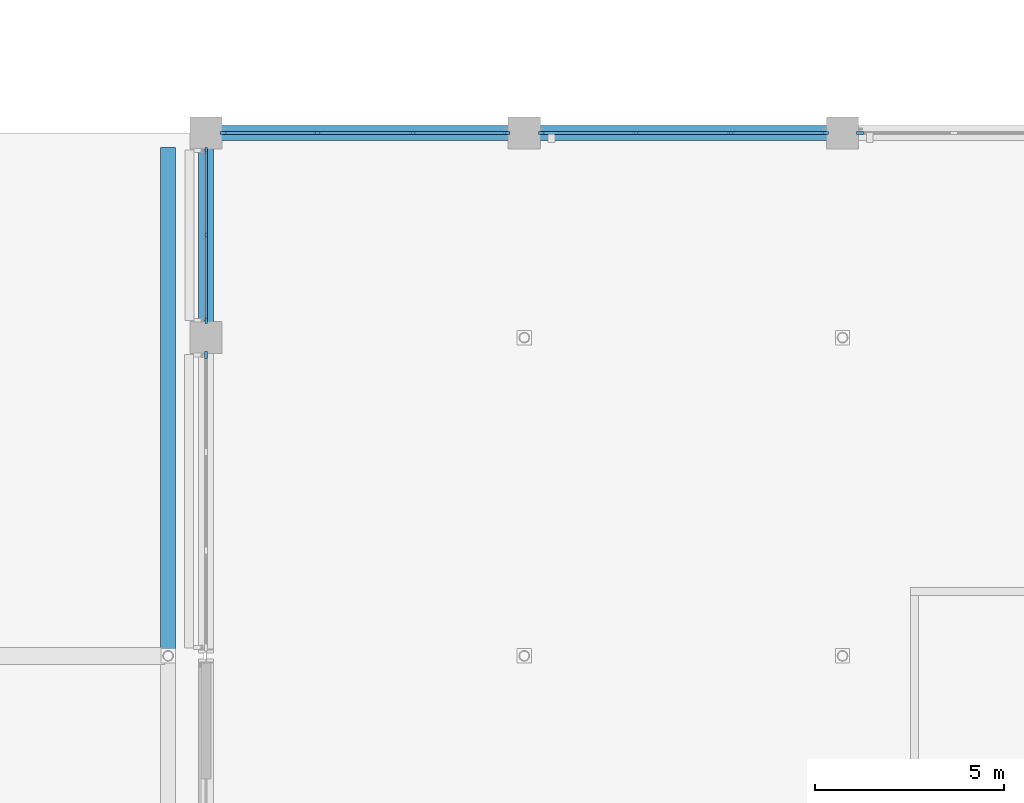
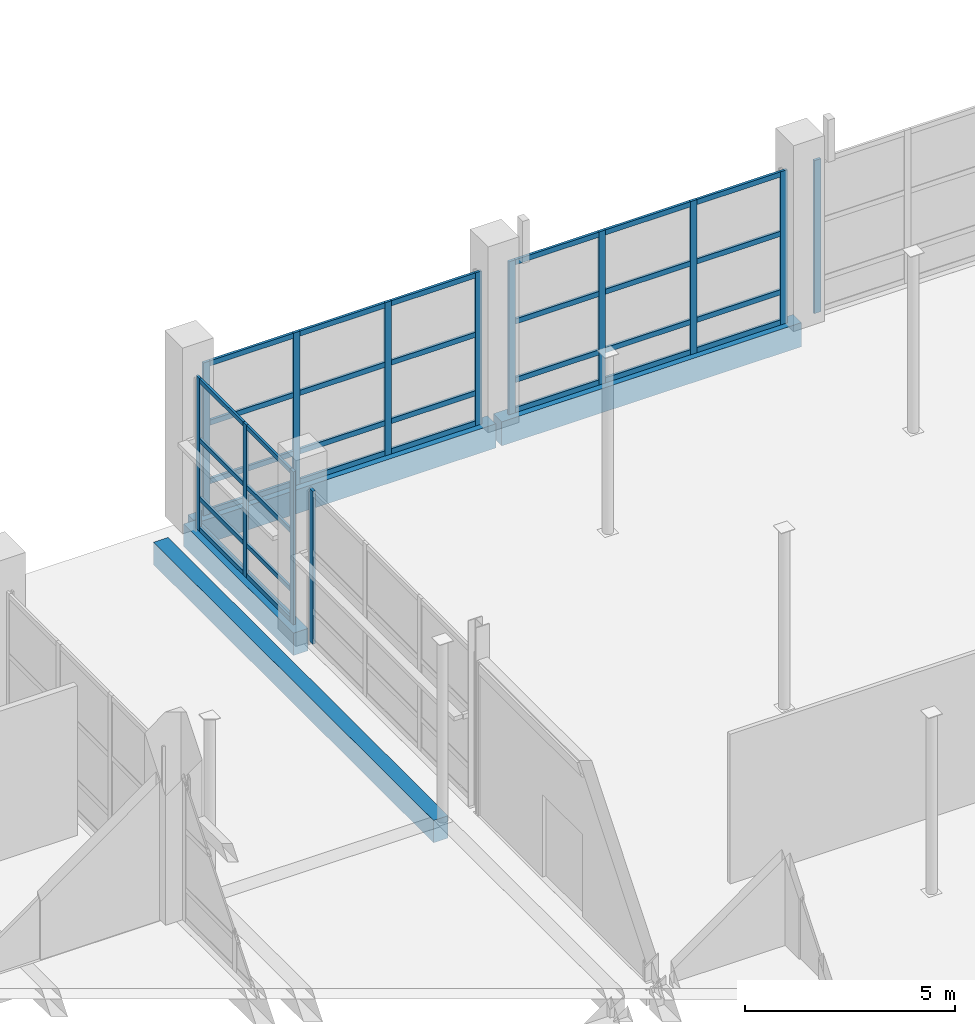
# One storey, part 34 of 140: 45 members, 4 beams, 5 elements without a shape of their own.
"""IFC4 building model written with IfcOpenShell, lengths in metres."""

from ifc_helpers import new_model, si_unit, direction, frame, origin, origin_2d, place, context, subcontext, project, spatial, rectangle, extrude, material, layer, layer_set, material_profile, profile_set, type_object, element, aggregate, save


model = new_model("IFC4")

# Units and contexts
model_context = context("Model", 3, precision=1e-05, world=origin(), true_north=direction((0.0, 1.0)))
body_context = subcontext(model_context, "Body", "Model", "MODEL_VIEW")
ifc_project = project(units=[si_unit("LENGTHUNIT", "METRE"), si_unit("AREAUNIT", "SQUARE_METRE"), si_unit("VOLUMEUNIT", "CUBIC_METRE"), si_unit("PLANEANGLEUNIT", "RADIAN"), si_unit("MASSUNIT", "GRAM", prefix="KILO")], contexts=[model_context])

# Site, building, storey
site_placement = place(None, origin())
site = spatial("IfcSite", under=ifc_project, at=site_placement, CompositionType="ELEMENT")
building_placement = place(site_placement, origin())
building = spatial("IfcBuilding", under=site, at=building_placement, Name="Telukmera Botanical Conservatory", CompositionType="ELEMENT")
storey_placement = place(building_placement, origin())
storey = spatial("IfcBuildingStorey", under=building, at=storey_placement, Name="L00", CompositionType="ELEMENT", Elevation=0.0)

# Beams
ifc_material_1 = material(Name="Concrete C40/50", Category="concrete")
ifc_material_profile_1 = material_profile(ifc_material_1, rectangle(XDim=0.39990234375, YDim=0.699951171875, at=origin_2d()), Name="RC 400x700")
ifc_profile_set_1 = profile_set([ifc_material_profile_1], Name="Concrete C40/50")
beam_type_1 = type_object("IfcBeamType", Name="Beam_B7", PredefinedType="BEAM", material=ifc_profile_set_1)
for number, where, z_axis, x_axis, name in (
    (1, (117.679931640625, 48.199951171875, -0.35009765625), (1.0, 0.0, 0.0), (0.0, 1.0, 0.0), "Conservatory Beam beam:V1:L00:gx:482:1176"),
    (2, (126.080078125, 48.199951171875, -0.35009765625), (1.0, 0.0, 0.0), (0.0, 1.0, 0.0), "Conservatory Beam beam:V1:L00:gx:482:1260"),
):
    element("IfcBeam", number, at=place(storey_placement, frame(where, z_axis=z_axis, x_axis=x_axis)), inside=storey, type_object=beam_type_1, Name=name, PredefinedType="BEAM", context=body_context, shape_type="SweptSolid", body=[
        extrude(rectangle(XDim=0.39990234375, YDim=0.699951171875, at=origin_2d()), origin(), (0.0, 0.0, 1.0), 8.239990234375),
    ])
ifc_material_profile_2 = material_profile(ifc_material_1, rectangle(XDim=0.39990234375, YDim=0.64990234375, at=origin_2d()), Name="RC 400x650")
ifc_profile_set_2 = profile_set([ifc_material_profile_2], Name="Concrete C40/50")
beam_type_2 = type_object("IfcBeamType", Name="Beam_B8", PredefinedType="BEAM", material=ifc_profile_set_2)
beam_1_placement = place(storey_placement, frame((116.60009765625, 34.47998046875, -0.324951171875), z_axis=(0.0, 1.0, 0.0), x_axis=(-1.0, 0.0, 0.0)))
element("IfcBeam", 3, at=beam_1_placement, inside=storey, type_object=beam_type_2, Name="East Link Deck North Girder L00", PredefinedType="BEAM", context=body_context, shape_type="SweptSolid", body=[
    extrude(rectangle(XDim=0.39990234375, YDim=0.64990234375, at=origin_2d()), origin(), (0.0, 0.0, 1.0), 13.340087890625),
])
beam_2_placement = place(storey_placement, frame((117.60009765625, 42.8798828125, -0.324951171875), z_axis=(0.0, 1.0, 0.0), x_axis=(-1.0, 0.0, 0.0)))
element("IfcBeam", 4, at=beam_2_placement, inside=storey, type_object=beam_type_2, Name="Conservatory Beam beam:V1:L00:gy:1176:428", PredefinedType="BEAM", context=body_context, shape_type="SweptSolid", body=[
    extrude(rectangle(XDim=0.39990234375, YDim=0.64990234375, at=origin_2d()), origin(), (0.0, 0.0, 1.0), 5.240234375),
])

# Curtain wall, members
ifc_material_2 = material(Name="Anodised aluminium 6063-T6", Category="aluminium")
ifc_layer_1 = layer(ifc_material_2, 0.179931640625)
ifc_layer_set_1 = layer_set([ifc_layer_1], Name="Anodised aluminium 6063-T6")
curtain_wall_type_1 = type_object("IfcCurtainWallType", Name="Conservatory North Gable Unitised Curtain Wall", PredefinedType="USERDEFINED", material=ifc_layer_set_1)
curtain_wall_1_placement = place(storey_placement, origin())
curtain_wall_1 = element("IfcCurtainWall", 5, at=curtain_wall_1_placement, inside=storey, type_object=curtain_wall_type_1, Name="Unitised Curtain Wall CW03 V1:L00:W4", ObjectType="UNITISED CURTAIN WALL", PredefinedType="USERDEFINED")
ifc_material_profile_3 = material_profile(ifc_material_2, rectangle(XDim=0.06494140625, YDim=0.159912109375, at=origin_2d()), Name="ALU MULL 65x160")
ifc_profile_set_3 = profile_set([ifc_material_profile_3], Name="Anodised aluminium 6063-T6")
member_type_1 = type_object("IfcMemberType", Name="Curtain Wall Extruded Mullion 65x160", PredefinedType="MULLION", material=ifc_profile_set_3)
member_1_placement = place(storey_placement, frame((117.60009765625, 43.259521484375, 0.0), z_axis=(0.0, 0.0, 1.0), x_axis=(-1.0, 0.0, 0.0)))
member_1 = element("IfcMember", 6, at=member_1_placement, type_object=member_type_1, Name="CW03 mullion 1", PredefinedType="MULLION", context=body_context, shape_type="SweptSolid", body=[
    extrude(rectangle(XDim=0.06494140625, YDim=0.159912109375, at=origin_2d()), origin(), (0.0, 0.0, 1.0), 4.449951171875),
])
member_2_placement = place(storey_placement, frame((117.60009765625, 45.5, 0.0), z_axis=(0.0, 0.0, 1.0), x_axis=(-1.0, 0.0, 0.0)))
member_2 = element("IfcMember", 7, at=member_2_placement, type_object=member_type_1, Name="CW03 mullion 2", PredefinedType="MULLION", context=body_context, shape_type="SweptSolid", body=[
    extrude(rectangle(XDim=0.06494140625, YDim=0.159912109375, at=origin_2d()), origin(), (0.0, 0.0, 1.0), 4.449951171875),
])
member_3_placement = place(storey_placement, frame((117.60009765625, 47.740478515625, 0.0), z_axis=(0.0, 0.0, 1.0), x_axis=(-1.0, 0.0, 0.0)))
member_3 = element("IfcMember", 8, at=member_3_placement, type_object=member_type_1, Name="CW03 mullion 3", PredefinedType="MULLION", context=body_context, shape_type="SweptSolid", body=[
    extrude(rectangle(XDim=0.06494140625, YDim=0.159912109375, at=origin_2d()), origin(), (0.0, 0.0, 1.0), 4.449951171875),
])

ifc_layer_2 = layer(ifc_material_2, 0.179931640625)
ifc_layer_set_2 = layer_set([ifc_layer_2], Name="Anodised aluminium 6063-T6")
curtain_wall_type_2 = type_object("IfcCurtainWallType", Name="Conservatory Garden Unitised Curtain Wall 2800 Mod", PredefinedType="USERDEFINED", material=ifc_layer_set_2)
curtain_wall_2_placement = place(storey_placement, origin())
curtain_wall_2 = element("IfcCurtainWall", 9, at=curtain_wall_2_placement, inside=storey, type_object=curtain_wall_type_2, Name="Unitised Curtain Wall CW02 V1:L00:N1", ObjectType="UNITISED CURTAIN WALL", PredefinedType="USERDEFINED")
ifc_material_profile_4 = material_profile(ifc_material_2, rectangle(XDim=0.070068359375, YDim=0.179931640625, at=origin_2d()), Name="ALU MULL 70x180")
ifc_profile_set_4 = profile_set([ifc_material_profile_4], Name="Anodised aluminium 6063-T6")
member_type_2 = type_object("IfcMemberType", Name="Curtain Wall Extruded Mullion 70x180", PredefinedType="MULLION", material=ifc_profile_set_4)
member_4_placement = place(storey_placement, frame((118.06201171875, 48.199951171875, 0.0), z_axis=(0.0, 0.0, 1.0), x_axis=(0.0, 1.0, 0.0)))
member_4 = element("IfcMember", 10, at=member_4_placement, type_object=member_type_2, Name="CW02 mullion 1", PredefinedType="MULLION", context=body_context, shape_type="SweptSolid", body=[
    extrude(rectangle(XDim=0.070068359375, YDim=0.179931640625, at=origin_2d()), origin(), (0.0, 0.0, 1.0), 4.449951171875),
])
member_5_placement = place(storey_placement, frame((120.542236328125, 48.199951171875, 0.0), z_axis=(0.0, 0.0, 1.0), x_axis=(0.0, 1.0, 0.0)))
member_5 = element("IfcMember", 11, at=member_5_placement, type_object=member_type_2, Name="CW02 mullion 2", PredefinedType="MULLION", context=body_context, shape_type="SweptSolid", body=[
    extrude(rectangle(XDim=0.070068359375, YDim=0.179931640625, at=origin_2d()), origin(), (0.0, 0.0, 1.0), 4.449951171875),
])
member_6_placement = place(storey_placement, frame((123.0576171875, 48.199951171875, 0.0), z_axis=(0.0, 0.0, 1.0), x_axis=(0.0, 1.0, 0.0)))
member_6 = element("IfcMember", 12, at=member_6_placement, type_object=member_type_2, Name="CW02 mullion 3", PredefinedType="MULLION", context=body_context, shape_type="SweptSolid", body=[
    extrude(rectangle(XDim=0.070068359375, YDim=0.179931640625, at=origin_2d()), origin(), (0.0, 0.0, 1.0), 4.449951171875),
])
member_7_placement = place(storey_placement, frame((125.5380859375, 48.199951171875, 0.0), z_axis=(0.0, 0.0, 1.0), x_axis=(0.0, 1.0, 0.0)))
member_7 = element("IfcMember", 13, at=member_7_placement, type_object=member_type_2, Name="CW02 mullion 4", PredefinedType="MULLION", context=body_context, shape_type="SweptSolid", body=[
    extrude(rectangle(XDim=0.070068359375, YDim=0.179931640625, at=origin_2d()), origin(), (0.0, 0.0, 1.0), 4.449951171875),
])

curtain_wall_3_placement = place(storey_placement, origin())
curtain_wall_3 = element("IfcCurtainWall", 14, at=curtain_wall_3_placement, inside=storey, type_object=curtain_wall_type_2, Name="Unitised Curtain Wall CW02 V1:L00:N2", ObjectType="UNITISED CURTAIN WALL", PredefinedType="USERDEFINED")
member_8_placement = place(storey_placement, frame((126.4619140625, 48.199951171875, 0.0), z_axis=(0.0, 0.0, 1.0), x_axis=(0.0, 1.0, 0.0)))
member_8 = element("IfcMember", 15, at=member_8_placement, type_object=member_type_2, Name="CW02 mullion 1", PredefinedType="MULLION", context=body_context, shape_type="SweptSolid", body=[
    extrude(rectangle(XDim=0.070068359375, YDim=0.179931640625, at=origin_2d()), origin(), (0.0, 0.0, 1.0), 4.449951171875),
])
member_9_placement = place(storey_placement, frame((128.9423828125, 48.199951171875, 0.0), z_axis=(0.0, 0.0, 1.0), x_axis=(0.0, 1.0, 0.0)))
member_9 = element("IfcMember", 16, at=member_9_placement, type_object=member_type_2, Name="CW02 mullion 2", PredefinedType="MULLION", context=body_context, shape_type="SweptSolid", body=[
    extrude(rectangle(XDim=0.070068359375, YDim=0.179931640625, at=origin_2d()), origin(), (0.0, 0.0, 1.0), 4.449951171875),
])
member_10_placement = place(storey_placement, frame((131.457763671875, 48.199951171875, 0.0), z_axis=(0.0, 0.0, 1.0), x_axis=(0.0, 1.0, 0.0)))
member_10 = element("IfcMember", 17, at=member_10_placement, type_object=member_type_2, Name="CW02 mullion 3", PredefinedType="MULLION", context=body_context, shape_type="SweptSolid", body=[
    extrude(rectangle(XDim=0.070068359375, YDim=0.179931640625, at=origin_2d()), origin(), (0.0, 0.0, 1.0), 4.449951171875),
])
member_11_placement = place(storey_placement, frame((133.93798828125, 48.199951171875, 0.0), z_axis=(0.0, 0.0, 1.0), x_axis=(0.0, 1.0, 0.0)))
member_11 = element("IfcMember", 18, at=member_11_placement, type_object=member_type_2, Name="CW02 mullion 4", PredefinedType="MULLION", context=body_context, shape_type="SweptSolid", body=[
    extrude(rectangle(XDim=0.070068359375, YDim=0.179931640625, at=origin_2d()), origin(), (0.0, 0.0, 1.0), 4.449951171875),
])

# Curtain wall, member
curtain_wall_4_placement = place(storey_placement, origin())
curtain_wall_4 = element("IfcCurtainWall", 19, at=curtain_wall_4_placement, inside=storey, type_object=curtain_wall_type_2, Name="Unitised Curtain Wall CW02 V1:L00:N3", ObjectType="UNITISED CURTAIN WALL", PredefinedType="USERDEFINED")
member_12_placement = place(storey_placement, frame((134.862060546875, 48.199951171875, 0.0), z_axis=(0.0, 0.0, 1.0), x_axis=(0.0, 1.0, 0.0)))
member_12 = element("IfcMember", 20, at=member_12_placement, type_object=member_type_2, Name="CW02 mullion 1", PredefinedType="MULLION", context=body_context, shape_type="SweptSolid", body=[
    extrude(rectangle(XDim=0.070068359375, YDim=0.179931640625, at=origin_2d()), origin(), (0.0, 0.0, 1.0), 4.449951171875),
])
aggregate(curtain_wall_4, [member_12])

curtain_wall_5_placement = place(storey_placement, origin())
curtain_wall_5 = element("IfcCurtainWall", 21, at=curtain_wall_5_placement, inside=storey, type_object=curtain_wall_type_2, Name="Unitised Curtain Wall CW02 V1:L00:W3", ObjectType="UNITISED CURTAIN WALL", PredefinedType="USERDEFINED")
member_13_placement = place(storey_placement, frame((117.60009765625, 42.337890625, 0.0), z_axis=(0.0, 0.0, 1.0), x_axis=(-1.0, 0.0, 0.0)))
member_13 = element("IfcMember", 22, at=member_13_placement, type_object=member_type_2, Name="CW02 mullion 4", PredefinedType="MULLION", context=body_context, shape_type="SweptSolid", body=[
    extrude(rectangle(XDim=0.070068359375, YDim=0.179931640625, at=origin_2d()), origin(), (0.0, 0.0, 1.0), 4.449951171875),
])
aggregate(curtain_wall_5, [member_13])

# Member
ifc_material_profile_5 = material_profile(ifc_material_2, rectangle(XDim=0.06494140625, YDim=0.1298828125, at=origin_2d()), Name="ALU TRAN 65x130")
ifc_profile_set_5 = profile_set([ifc_material_profile_5], Name="Anodised aluminium 6063-T6")
member_type_3 = type_object("IfcMemberType", Name="Curtain Wall Extruded Transom 65x130", PredefinedType="USERDEFINED", material=ifc_profile_set_5)
member_14_placement = place(storey_placement, frame((117.60009765625, 43.2919921875, 0.06494140625), z_axis=(0.0, 1.0, 0.0), x_axis=(-1.0, 0.0, 0.0)))
member_14 = element("IfcMember", 23, at=member_14_placement, type_object=member_type_3, Name="CW03 transom 1.1", ObjectType="TRANSOM", PredefinedType="USERDEFINED", context=body_context, shape_type="SweptSolid", body=[
    extrude(rectangle(XDim=0.06494140625, YDim=0.1298828125, at=origin_2d()), origin(), (0.0, 0.0, 1.0), 2.175537109375),
])

member_15_placement = place(storey_placement, frame((117.60009765625, 43.2919921875, 0.949951171875), z_axis=(0.0, 1.0, 0.0), x_axis=(-1.0, 0.0, 0.0)))
member_15 = element("IfcMember", 24, at=member_15_placement, type_object=member_type_3, Name="CW03 transom 1.2", ObjectType="TRANSOM", PredefinedType="USERDEFINED", context=body_context, shape_type="SweptSolid", body=[
    extrude(rectangle(XDim=0.06494140625, YDim=0.1298828125, at=origin_2d()), origin(), (0.0, 0.0, 1.0), 2.175537109375),
])

member_16_placement = place(storey_placement, frame((117.60009765625, 43.2919921875, 2.64990234375), z_axis=(0.0, 1.0, 0.0), x_axis=(-1.0, 0.0, 0.0)))
member_16 = element("IfcMember", 25, at=member_16_placement, type_object=member_type_3, Name="CW03 transom 1.3", ObjectType="TRANSOM", PredefinedType="USERDEFINED", context=body_context, shape_type="SweptSolid", body=[
    extrude(rectangle(XDim=0.06494140625, YDim=0.1298828125, at=origin_2d()), origin(), (0.0, 0.0, 1.0), 2.175537109375),
])

member_17_placement = place(storey_placement, frame((117.60009765625, 43.2919921875, 4.385009765625), z_axis=(0.0, 1.0, 0.0), x_axis=(-1.0, 0.0, 0.0)))
member_17 = element("IfcMember", 26, at=member_17_placement, type_object=member_type_3, Name="CW03 transom 1.4", ObjectType="TRANSOM", PredefinedType="USERDEFINED", context=body_context, shape_type="SweptSolid", body=[
    extrude(rectangle(XDim=0.06494140625, YDim=0.1298828125, at=origin_2d()), origin(), (0.0, 0.0, 1.0), 2.175537109375),
])

member_18_placement = place(storey_placement, frame((117.60009765625, 45.532470703125, 0.06494140625), z_axis=(0.0, 1.0, 0.0), x_axis=(-1.0, 0.0, 0.0)))
member_18 = element("IfcMember", 27, at=member_18_placement, type_object=member_type_3, Name="CW03 transom 2.1", ObjectType="TRANSOM", PredefinedType="USERDEFINED", context=body_context, shape_type="SweptSolid", body=[
    extrude(rectangle(XDim=0.06494140625, YDim=0.1298828125, at=origin_2d()), origin(), (0.0, 0.0, 1.0), 2.175537109375),
])

member_19_placement = place(storey_placement, frame((117.60009765625, 45.532470703125, 0.949951171875), z_axis=(0.0, 1.0, 0.0), x_axis=(-1.0, 0.0, 0.0)))
member_19 = element("IfcMember", 28, at=member_19_placement, type_object=member_type_3, Name="CW03 transom 2.2", ObjectType="TRANSOM", PredefinedType="USERDEFINED", context=body_context, shape_type="SweptSolid", body=[
    extrude(rectangle(XDim=0.06494140625, YDim=0.1298828125, at=origin_2d()), origin(), (0.0, 0.0, 1.0), 2.175537109375),
])

member_20_placement = place(storey_placement, frame((117.60009765625, 45.532470703125, 2.64990234375), z_axis=(0.0, 1.0, 0.0), x_axis=(-1.0, 0.0, 0.0)))
member_20 = element("IfcMember", 29, at=member_20_placement, type_object=member_type_3, Name="CW03 transom 2.3", ObjectType="TRANSOM", PredefinedType="USERDEFINED", context=body_context, shape_type="SweptSolid", body=[
    extrude(rectangle(XDim=0.06494140625, YDim=0.1298828125, at=origin_2d()), origin(), (0.0, 0.0, 1.0), 2.175537109375),
])

member_21_placement = place(storey_placement, frame((117.60009765625, 45.532470703125, 4.385009765625), z_axis=(0.0, 1.0, 0.0), x_axis=(-1.0, 0.0, 0.0)))
member_21 = element("IfcMember", 30, at=member_21_placement, type_object=member_type_3, Name="CW03 transom 2.4", ObjectType="TRANSOM", PredefinedType="USERDEFINED", context=body_context, shape_type="SweptSolid", body=[
    extrude(rectangle(XDim=0.06494140625, YDim=0.1298828125, at=origin_2d()), origin(), (0.0, 0.0, 1.0), 2.175537109375),
])

aggregate(curtain_wall_1, [member_1, member_2, member_3, member_14, member_15, member_16, member_17, member_18, member_19, member_20, member_21])

ifc_material_profile_6 = material_profile(ifc_material_2, rectangle(XDim=0.070068359375, YDim=0.14990234375, at=origin_2d()), Name="ALU TRAN 70x150")
ifc_profile_set_6 = profile_set([ifc_material_profile_6], Name="Anodised aluminium 6063-T6")
member_type_4 = type_object("IfcMemberType", Name="Curtain Wall Extruded Transom 70x150", PredefinedType="USERDEFINED", material=ifc_profile_set_6)
member_22_placement = place(storey_placement, frame((118.096923828125, 48.199951171875, 0.074951171875), z_axis=(1.0, 0.0, 0.0), x_axis=(0.0, 1.0, 0.0)))
member_22 = element("IfcMember", 31, at=member_22_placement, type_object=member_type_4, Name="CW02 transom 1.1", ObjectType="TRANSOM", PredefinedType="USERDEFINED", context=body_context, shape_type="SweptSolid", body=[
    extrude(rectangle(XDim=0.070068359375, YDim=0.14990234375, at=origin_2d()), origin(), (0.0, 0.0, 1.0), 2.410400390625),
])

member_23_placement = place(storey_placement, frame((118.096923828125, 48.199951171875, 0.949951171875), z_axis=(1.0, 0.0, 0.0), x_axis=(0.0, 1.0, 0.0)))
member_23 = element("IfcMember", 32, at=member_23_placement, type_object=member_type_4, Name="CW02 transom 1.2", ObjectType="TRANSOM", PredefinedType="USERDEFINED", context=body_context, shape_type="SweptSolid", body=[
    extrude(rectangle(XDim=0.070068359375, YDim=0.14990234375, at=origin_2d()), origin(), (0.0, 0.0, 1.0), 2.410400390625),
])

member_24_placement = place(storey_placement, frame((118.096923828125, 48.199951171875, 2.64990234375), z_axis=(1.0, 0.0, 0.0), x_axis=(0.0, 1.0, 0.0)))
member_24 = element("IfcMember", 33, at=member_24_placement, type_object=member_type_4, Name="CW02 transom 1.3", ObjectType="TRANSOM", PredefinedType="USERDEFINED", context=body_context, shape_type="SweptSolid", body=[
    extrude(rectangle(XDim=0.070068359375, YDim=0.14990234375, at=origin_2d()), origin(), (0.0, 0.0, 1.0), 2.410400390625),
])

member_25_placement = place(storey_placement, frame((118.096923828125, 48.199951171875, 4.375), z_axis=(1.0, 0.0, 0.0), x_axis=(0.0, 1.0, 0.0)))
member_25 = element("IfcMember", 34, at=member_25_placement, type_object=member_type_4, Name="CW02 transom 1.4", ObjectType="TRANSOM", PredefinedType="USERDEFINED", context=body_context, shape_type="SweptSolid", body=[
    extrude(rectangle(XDim=0.070068359375, YDim=0.14990234375, at=origin_2d()), origin(), (0.0, 0.0, 1.0), 2.410400390625),
])

member_26_placement = place(storey_placement, frame((120.577392578125, 48.199951171875, 0.074951171875), z_axis=(1.0, 0.0, 0.0), x_axis=(0.0, 1.0, 0.0)))
member_26 = element("IfcMember", 35, at=member_26_placement, type_object=member_type_4, Name="CW02 transom 2.1", ObjectType="TRANSOM", PredefinedType="USERDEFINED", context=body_context, shape_type="SweptSolid", body=[
    extrude(rectangle(XDim=0.070068359375, YDim=0.14990234375, at=origin_2d()), origin(), (0.0, 0.0, 1.0), 2.4453125),
])

member_27_placement = place(storey_placement, frame((120.577392578125, 48.199951171875, 0.949951171875), z_axis=(1.0, 0.0, 0.0), x_axis=(0.0, 1.0, 0.0)))
member_27 = element("IfcMember", 36, at=member_27_placement, type_object=member_type_4, Name="CW02 transom 2.2", ObjectType="TRANSOM", PredefinedType="USERDEFINED", context=body_context, shape_type="SweptSolid", body=[
    extrude(rectangle(XDim=0.070068359375, YDim=0.14990234375, at=origin_2d()), origin(), (0.0, 0.0, 1.0), 2.4453125),
])

member_28_placement = place(storey_placement, frame((120.577392578125, 48.199951171875, 2.64990234375), z_axis=(1.0, 0.0, 0.0), x_axis=(0.0, 1.0, 0.0)))
member_28 = element("IfcMember", 37, at=member_28_placement, type_object=member_type_4, Name="CW02 transom 2.3", ObjectType="TRANSOM", PredefinedType="USERDEFINED", context=body_context, shape_type="SweptSolid", body=[
    extrude(rectangle(XDim=0.070068359375, YDim=0.14990234375, at=origin_2d()), origin(), (0.0, 0.0, 1.0), 2.4453125),
])

member_29_placement = place(storey_placement, frame((120.577392578125, 48.199951171875, 4.375), z_axis=(1.0, 0.0, 0.0), x_axis=(0.0, 1.0, 0.0)))
member_29 = element("IfcMember", 38, at=member_29_placement, type_object=member_type_4, Name="CW02 transom 2.4", ObjectType="TRANSOM", PredefinedType="USERDEFINED", context=body_context, shape_type="SweptSolid", body=[
    extrude(rectangle(XDim=0.070068359375, YDim=0.14990234375, at=origin_2d()), origin(), (0.0, 0.0, 1.0), 2.4453125),
])

member_30_placement = place(storey_placement, frame((123.0927734375, 48.199951171875, 0.074951171875), z_axis=(1.0, 0.0, 0.0), x_axis=(0.0, 1.0, 0.0)))
member_30 = element("IfcMember", 39, at=member_30_placement, type_object=member_type_4, Name="CW02 transom 3.1", ObjectType="TRANSOM", PredefinedType="USERDEFINED", context=body_context, shape_type="SweptSolid", body=[
    extrude(rectangle(XDim=0.070068359375, YDim=0.14990234375, at=origin_2d()), origin(), (0.0, 0.0, 1.0), 2.41015625),
])

member_31_placement = place(storey_placement, frame((123.0927734375, 48.199951171875, 0.949951171875), z_axis=(1.0, 0.0, 0.0), x_axis=(0.0, 1.0, 0.0)))
member_31 = element("IfcMember", 40, at=member_31_placement, type_object=member_type_4, Name="CW02 transom 3.2", ObjectType="TRANSOM", PredefinedType="USERDEFINED", context=body_context, shape_type="SweptSolid", body=[
    extrude(rectangle(XDim=0.070068359375, YDim=0.14990234375, at=origin_2d()), origin(), (0.0, 0.0, 1.0), 2.41015625),
])

member_32_placement = place(storey_placement, frame((123.0927734375, 48.199951171875, 2.64990234375), z_axis=(1.0, 0.0, 0.0), x_axis=(0.0, 1.0, 0.0)))
member_32 = element("IfcMember", 41, at=member_32_placement, type_object=member_type_4, Name="CW02 transom 3.3", ObjectType="TRANSOM", PredefinedType="USERDEFINED", context=body_context, shape_type="SweptSolid", body=[
    extrude(rectangle(XDim=0.070068359375, YDim=0.14990234375, at=origin_2d()), origin(), (0.0, 0.0, 1.0), 2.41015625),
])

member_33_placement = place(storey_placement, frame((123.0927734375, 48.199951171875, 4.375), z_axis=(1.0, 0.0, 0.0), x_axis=(0.0, 1.0, 0.0)))
member_33 = element("IfcMember", 42, at=member_33_placement, type_object=member_type_4, Name="CW02 transom 3.4", ObjectType="TRANSOM", PredefinedType="USERDEFINED", context=body_context, shape_type="SweptSolid", body=[
    extrude(rectangle(XDim=0.070068359375, YDim=0.14990234375, at=origin_2d()), origin(), (0.0, 0.0, 1.0), 2.41015625),
])

aggregate(curtain_wall_2, [member_4, member_5, member_6, member_7, member_22, member_23, member_24, member_25, member_26, member_27, member_28, member_29, member_30, member_31, member_32, member_33])

member_34_placement = place(storey_placement, frame((126.4970703125, 48.199951171875, 0.074951171875), z_axis=(1.0, 0.0, 0.0), x_axis=(0.0, 1.0, 0.0)))
member_34 = element("IfcMember", 43, at=member_34_placement, type_object=member_type_4, Name="CW02 transom 1.1", ObjectType="TRANSOM", PredefinedType="USERDEFINED", context=body_context, shape_type="SweptSolid", body=[
    extrude(rectangle(XDim=0.070068359375, YDim=0.14990234375, at=origin_2d()), origin(), (0.0, 0.0, 1.0), 2.41015625),
])

member_35_placement = place(storey_placement, frame((126.4970703125, 48.199951171875, 0.949951171875), z_axis=(1.0, 0.0, 0.0), x_axis=(0.0, 1.0, 0.0)))
member_35 = element("IfcMember", 44, at=member_35_placement, type_object=member_type_4, Name="CW02 transom 1.2", ObjectType="TRANSOM", PredefinedType="USERDEFINED", context=body_context, shape_type="SweptSolid", body=[
    extrude(rectangle(XDim=0.070068359375, YDim=0.14990234375, at=origin_2d()), origin(), (0.0, 0.0, 1.0), 2.41015625),
])

member_36_placement = place(storey_placement, frame((126.4970703125, 48.199951171875, 2.64990234375), z_axis=(1.0, 0.0, 0.0), x_axis=(0.0, 1.0, 0.0)))
member_36 = element("IfcMember", 45, at=member_36_placement, type_object=member_type_4, Name="CW02 transom 1.3", ObjectType="TRANSOM", PredefinedType="USERDEFINED", context=body_context, shape_type="SweptSolid", body=[
    extrude(rectangle(XDim=0.070068359375, YDim=0.14990234375, at=origin_2d()), origin(), (0.0, 0.0, 1.0), 2.41015625),
])

member_37_placement = place(storey_placement, frame((126.4970703125, 48.199951171875, 4.375), z_axis=(1.0, 0.0, 0.0), x_axis=(0.0, 1.0, 0.0)))
member_37 = element("IfcMember", 46, at=member_37_placement, type_object=member_type_4, Name="CW02 transom 1.4", ObjectType="TRANSOM", PredefinedType="USERDEFINED", context=body_context, shape_type="SweptSolid", body=[
    extrude(rectangle(XDim=0.070068359375, YDim=0.14990234375, at=origin_2d()), origin(), (0.0, 0.0, 1.0), 2.41015625),
])

member_38_placement = place(storey_placement, frame((128.977294921875, 48.199951171875, 0.074951171875), z_axis=(1.0, 0.0, 0.0), x_axis=(0.0, 1.0, 0.0)))
member_38 = element("IfcMember", 47, at=member_38_placement, type_object=member_type_4, Name="CW02 transom 2.1", ObjectType="TRANSOM", PredefinedType="USERDEFINED", context=body_context, shape_type="SweptSolid", body=[
    extrude(rectangle(XDim=0.070068359375, YDim=0.14990234375, at=origin_2d()), origin(), (0.0, 0.0, 1.0), 2.4453125),
])

member_39_placement = place(storey_placement, frame((128.977294921875, 48.199951171875, 0.949951171875), z_axis=(1.0, 0.0, 0.0), x_axis=(0.0, 1.0, 0.0)))
member_39 = element("IfcMember", 48, at=member_39_placement, type_object=member_type_4, Name="CW02 transom 2.2", ObjectType="TRANSOM", PredefinedType="USERDEFINED", context=body_context, shape_type="SweptSolid", body=[
    extrude(rectangle(XDim=0.070068359375, YDim=0.14990234375, at=origin_2d()), origin(), (0.0, 0.0, 1.0), 2.4453125),
])

member_40_placement = place(storey_placement, frame((128.977294921875, 48.199951171875, 2.64990234375), z_axis=(1.0, 0.0, 0.0), x_axis=(0.0, 1.0, 0.0)))
member_40 = element("IfcMember", 49, at=member_40_placement, type_object=member_type_4, Name="CW02 transom 2.3", ObjectType="TRANSOM", PredefinedType="USERDEFINED", context=body_context, shape_type="SweptSolid", body=[
    extrude(rectangle(XDim=0.070068359375, YDim=0.14990234375, at=origin_2d()), origin(), (0.0, 0.0, 1.0), 2.4453125),
])

member_41_placement = place(storey_placement, frame((128.977294921875, 48.199951171875, 4.375), z_axis=(1.0, 0.0, 0.0), x_axis=(0.0, 1.0, 0.0)))
member_41 = element("IfcMember", 50, at=member_41_placement, type_object=member_type_4, Name="CW02 transom 2.4", ObjectType="TRANSOM", PredefinedType="USERDEFINED", context=body_context, shape_type="SweptSolid", body=[
    extrude(rectangle(XDim=0.070068359375, YDim=0.14990234375, at=origin_2d()), origin(), (0.0, 0.0, 1.0), 2.4453125),
])

member_42_placement = place(storey_placement, frame((131.49267578125, 48.199951171875, 0.074951171875), z_axis=(1.0, 0.0, 0.0), x_axis=(0.0, 1.0, 0.0)))
member_42 = element("IfcMember", 51, at=member_42_placement, type_object=member_type_4, Name="CW02 transom 3.1", ObjectType="TRANSOM", PredefinedType="USERDEFINED", context=body_context, shape_type="SweptSolid", body=[
    extrude(rectangle(XDim=0.070068359375, YDim=0.14990234375, at=origin_2d()), origin(), (0.0, 0.0, 1.0), 2.410400390625),
])

member_43_placement = place(storey_placement, frame((131.49267578125, 48.199951171875, 0.949951171875), z_axis=(1.0, 0.0, 0.0), x_axis=(0.0, 1.0, 0.0)))
member_43 = element("IfcMember", 52, at=member_43_placement, type_object=member_type_4, Name="CW02 transom 3.2", ObjectType="TRANSOM", PredefinedType="USERDEFINED", context=body_context, shape_type="SweptSolid", body=[
    extrude(rectangle(XDim=0.070068359375, YDim=0.14990234375, at=origin_2d()), origin(), (0.0, 0.0, 1.0), 2.410400390625),
])

member_44_placement = place(storey_placement, frame((131.49267578125, 48.199951171875, 2.64990234375), z_axis=(1.0, 0.0, 0.0), x_axis=(0.0, 1.0, 0.0)))
member_44 = element("IfcMember", 53, at=member_44_placement, type_object=member_type_4, Name="CW02 transom 3.3", ObjectType="TRANSOM", PredefinedType="USERDEFINED", context=body_context, shape_type="SweptSolid", body=[
    extrude(rectangle(XDim=0.070068359375, YDim=0.14990234375, at=origin_2d()), origin(), (0.0, 0.0, 1.0), 2.410400390625),
])

member_45_placement = place(storey_placement, frame((131.49267578125, 48.199951171875, 4.375), z_axis=(1.0, 0.0, 0.0), x_axis=(0.0, 1.0, 0.0)))
member_45 = element("IfcMember", 54, at=member_45_placement, type_object=member_type_4, Name="CW02 transom 3.4", ObjectType="TRANSOM", PredefinedType="USERDEFINED", context=body_context, shape_type="SweptSolid", body=[
    extrude(rectangle(XDim=0.070068359375, YDim=0.14990234375, at=origin_2d()), origin(), (0.0, 0.0, 1.0), 2.410400390625),
])

aggregate(curtain_wall_3, [member_8, member_9, member_10, member_11, member_34, member_35, member_36, member_37, member_38, member_39, member_40, member_41, member_42, member_43, member_44, member_45])

save(model, "model.ifc")
